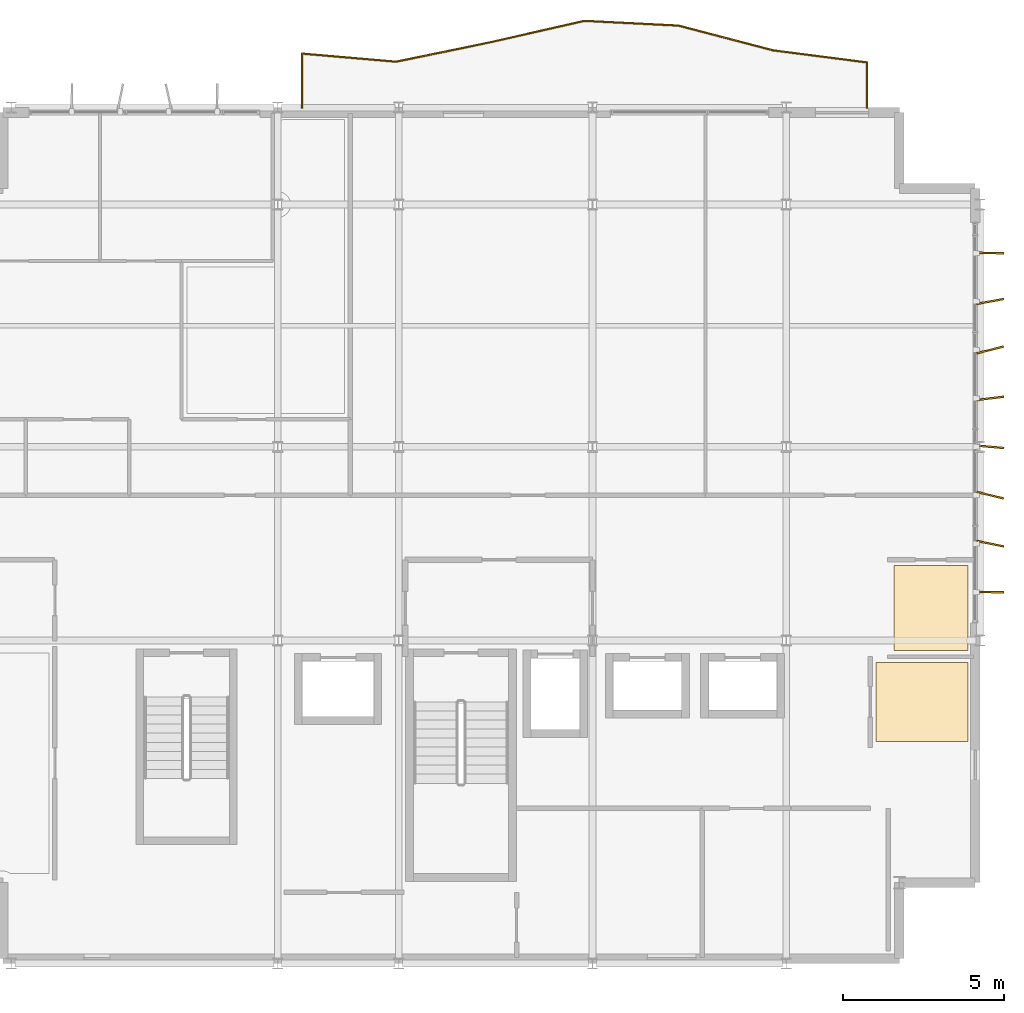
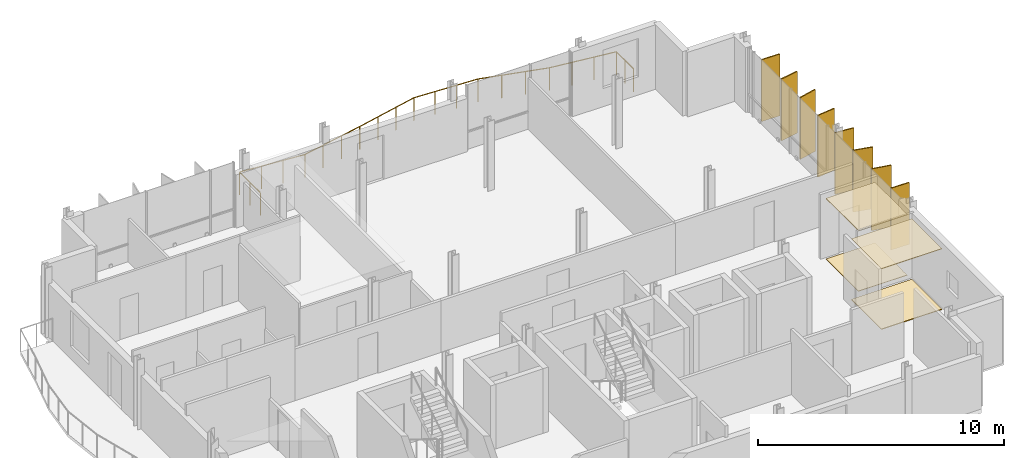
# One storey, part 12 of 12: 8 shading devices, 4 coverings, 1 railing.
"""IFC4 building model written with IfcOpenShell, lengths in metres."""

from ifc_helpers import new_model, si_unit, direction, frame, origin, origin_2d, place, context, subcontext, project, spatial, polyline, rectangle, circle, outline, extrude, material, layer, layer_set, type_object, element, save


model = new_model("IFC4")

# Units and contexts
model_context = context("Model", 3, precision=1e-05, world=origin(), true_north=direction((0.0, 1.0)))
body_context = subcontext(model_context, "Body", "Model", "MODEL_VIEW")
ifc_project = project(units=[si_unit("LENGTHUNIT", "METRE"), si_unit("AREAUNIT", "SQUARE_METRE"), si_unit("VOLUMEUNIT", "CUBIC_METRE"), si_unit("PLANEANGLEUNIT", "RADIAN"), si_unit("MASSUNIT", "GRAM", prefix="KILO")], contexts=[model_context])

# Site, building, storey
site_placement = place(None, origin())
site = spatial("IfcSite", under=ifc_project, at=site_placement, CompositionType="ELEMENT")
building_placement = place(site_placement, origin())
building = spatial("IfcBuilding", under=site, at=building_placement, Name="Brevholm Reach", CompositionType="ELEMENT")
storey_placement = place(building_placement, frame((0.0, 0.0, 236.60009765625)))
storey = spatial("IfcBuildingStorey", under=building, at=storey_placement, Name="L72", CompositionType="ELEMENT", Elevation=236.60009765625)

# Coverings
ifc_material_1 = material(Name="Perforated Mineral-Fibre Class-A Acoustic Suspended Ceiling", Category="gypsum")
ifc_layer_1 = layer(ifc_material_1, 0.044921875)
ifc_layer_set_1 = layer_set([ifc_layer_1], Name="Perforated Mineral-Fibre Class-A Acoustic Suspended Ceiling")
covering_type_1 = type_object("IfcCoveringType", Name="COV-CLG-AC", PredefinedType="CEILING", material=ifc_layer_set_1)
covering_1_placement = place(storey_placement, frame((0.0, 0.0, 2.98486328125)))
element("IfcCovering", 1, at=covering_1_placement, inside=storey, type_object=covering_type_1, Name="L72 Suspended Ceiling L72-20", PredefinedType="CEILING", context=body_context, shape_type="SweptSolid", body=[
    extrude(outline(polyline([(57.330078125, 12.31591796875), (59.6201171875, 12.31591796875), (59.6201171875, 10.123779296875), (59.6171875, 10.1162109375), (59.607666015625, 10.077880859375), (59.601806640625, 10.039306640625), (59.60009765625, 10.0), (59.601806640625, 9.960693359375), (59.607666015625, 9.922119140625), (59.6171875, 9.8837890625), (59.6201171875, 9.876220703125), (59.6201171875, 9.68408203125), (57.330078125, 9.68408203125), (57.330078125, 12.31591796875)])), origin(), (0.0, 0.0, 1.0), 0.044921875),
])
ifc_material_2 = material(Name="Moisture-Resistant Skimmed Gypsum Plasterboard Ceiling", Category="gypsum")
ifc_layer_2 = layer(ifc_material_2, 0.030029296875)
ifc_layer_set_2 = layer_set([ifc_layer_2], Name="Moisture-Resistant Skimmed Gypsum Plasterboard Ceiling")
covering_type_2 = type_object("IfcCoveringType", Name="COV-CLG-GYP", PredefinedType="CEILING", material=ifc_layer_set_2)
covering_2_placement = place(storey_placement, frame((0.0, 0.0, 3.0)))
element("IfcCovering", 2, at=covering_2_placement, inside=storey, type_object=covering_type_2, Name="L72 Suspended Ceiling L72-18", PredefinedType="CEILING", context=body_context, shape_type="SweptSolid", body=[
    extrude(outline(polyline([(59.6201171875, 9.320068359375), (59.6201171875, 6.8798828125), (56.783935546875, 6.8798828125), (56.783935546875, 9.320068359375), (59.6201171875, 9.320068359375)])), origin(), (0.0, 0.0, 1.0), 0.02978515625),
])
ifc_material_3 = material(Name="Engineered European Oak Acoustic Plank Flooring", Category="timber")
ifc_layer_3 = layer(ifc_material_3, 0.02197265625)
ifc_layer_set_3 = layer_set([ifc_layer_3], Name="Engineered European Oak Acoustic Plank Flooring")
covering_type_3 = type_object("IfcCoveringType", Name="COV-FLR-OAK", PredefinedType="FLOORING", material=ifc_layer_set_3)
covering_3_placement = place(storey_placement, origin())
element("IfcCovering", 3, at=covering_3_placement, inside=storey, type_object=covering_type_3, Name="L72 Floor Finish L72-20", PredefinedType="FLOORING", context=body_context, shape_type="SweptSolid", body=[
    extrude(outline(polyline([(57.330078125, 12.31591796875), (59.6201171875, 12.31591796875), (59.6201171875, 10.123779296875), (59.6171875, 10.1162109375), (59.607666015625, 10.077880859375), (59.601806640625, 10.039306640625), (59.60009765625, 10.0), (59.601806640625, 9.960693359375), (59.607666015625, 9.922119140625), (59.6171875, 9.8837890625), (59.6201171875, 9.876220703125), (59.6201171875, 9.68408203125), (57.330078125, 9.68408203125), (57.330078125, 12.31591796875)])), origin(), (0.0, 0.0, 1.0), 0.02197265625),
])
ifc_material_4 = material(Name="Honed Portland-Aggregate Resin Terrazzo Flooring", Category="concrete")
ifc_layer_4 = layer(ifc_material_4, 0.031982421875)
ifc_layer_set_4 = layer_set([ifc_layer_4], Name="Honed Portland-Aggregate Resin Terrazzo Flooring")
covering_type_4 = type_object("IfcCoveringType", Name="COV-FLR-TRZ", PredefinedType="FLOORING", material=ifc_layer_set_4)
covering_4_placement = place(storey_placement, origin())
element("IfcCovering", 4, at=covering_4_placement, inside=storey, type_object=covering_type_4, Name="L72 Floor Finish L72-18", PredefinedType="FLOORING", context=body_context, shape_type="SweptSolid", body=[
    extrude(outline(polyline([(59.6201171875, 9.320068359375), (59.6201171875, 6.8798828125), (56.783935546875, 6.8798828125), (56.783935546875, 9.320068359375), (59.6201171875, 9.320068359375)])), origin(), (0.0, 0.0, 1.0), 0.031982421875),
])

# Railing
ifc_material_5 = material(Name="Brushed Stainless Steel EN 1.4401 and Laminated Glass", Category="steel")
railing_type = type_object("IfcRailingType", Name="RAL-BALC-1150", PredefinedType="BALUSTRADE", material=ifc_material_5)
railing_placement = place(storey_placement, frame((56.5, 26.5, 0.0)))
element("IfcRailing", 5, at=railing_placement, inside=storey, type_object=railing_type, Name="L72 Guard Balustrade RAL-L72-BAL-NE", PredefinedType="BALUSTRADE", context=body_context, shape_type="SweptSolid", body=[
    extrude(circle(Radius=0.02392578125, at=origin_2d()), frame((0.0, 0.0, 1.1259765625), z_axis=(0.0, 1.0, 0.0), x_axis=(-1.0, 0.0, 0.0)), (0.0, 0.0, 1.0), 1.40380859375),
    extrude(circle(Radius=0.02392578125, at=origin_2d()), frame((0.0, 1.40380859375, 1.1259765625), z_axis=(-0.991825721968, 0.127599910828, 0.0), x_axis=(-0.127599910828, -0.991825721968, 0.0)), (0.0, 0.0, 1.0), 2.940673828125),
    extrude(circle(Radius=0.02392578125, at=origin_2d()), frame((-2.916748046875, 1.779052734375, 1.1259765625), z_axis=(-0.967287116441, 0.253684123205, 0.0), x_axis=(-0.253684123205, -0.967287116441, 0.0)), (0.0, 0.0, 1.0), 3.01513671875),
    extrude(circle(Radius=0.02392578125, at=origin_2d()), frame((-5.833251953125, 2.5439453125, 1.1259765625), z_axis=(-0.998720239463, 0.050575520622, 0.0), x_axis=(-0.050575520622, -0.998720239463, 0.0)), (0.0, 0.0, 1.0), 2.92041015625),
    extrude(circle(Radius=0.02392578125, at=origin_2d()), frame((-8.75, 2.691650390625, 1.1259765625), z_axis=(-0.975066268344, -0.221913884961, 0.0), x_axis=(0.221913884961, -0.975066268344, 0.0)), (0.0, 0.0, 1.0), 2.991455078125),
    extrude(circle(Radius=0.02392578125, at=origin_2d()), frame((-11.666748046875, 2.02783203125, 1.1259765625), z_axis=(-0.979367411888, -0.202087784221, 0.0), x_axis=(0.202087784221, -0.979367411888, 0.0)), (0.0, 0.0, 1.0), 2.97802734375),
    extrude(circle(Radius=0.02392578125, at=origin_2d()), frame((-14.583251953125, 1.426025390625, 1.1259765625), z_axis=(-0.996282713287, 0.086143805376, 0.0), x_axis=(-0.086143805376, -0.996282713287, 0.0)), (0.0, 0.0, 1.0), 2.927734375),
    extrude(circle(Radius=0.02392578125, at=origin_2d()), frame((-17.5, 1.67822265625, 1.1259765625), z_axis=(0.0, -1.0, 0.0), x_axis=(1.0, 0.0, 0.0)), (0.0, 0.0, 1.0), 1.67822265625),
    extrude(circle(Radius=0.02099609375, at=origin_2d()), origin(), (0.0, 0.0, 1.0), 1.101806640625),
    extrude(circle(Radius=0.02099609375, at=origin_2d()), frame((0.0, 0.701904296875, 0.0)), (0.0, 0.0, 1.0), 1.101806640625),
    extrude(circle(Radius=0.02099609375, at=origin_2d()), frame((0.0, 1.40380859375, 0.0)), (0.0, 0.0, 1.0), 1.101806640625),
    extrude(circle(Radius=0.02099609375, at=origin_2d()), frame((-0.97216796875, 1.52880859375, 0.0)), (0.0, 0.0, 1.0), 1.101806640625),
    extrude(circle(Radius=0.02099609375, at=origin_2d()), frame((-1.944580078125, 1.654052734375, 0.0)), (0.0, 0.0, 1.0), 1.101806640625),
    extrude(circle(Radius=0.02099609375, at=origin_2d()), frame((-2.916748046875, 1.779052734375, 0.0)), (0.0, 0.0, 1.0), 1.101806640625),
    extrude(circle(Radius=0.02099609375, at=origin_2d()), frame((-3.888916015625, 2.033935546875, 0.0)), (0.0, 0.0, 1.0), 1.101806640625),
    extrude(circle(Radius=0.02099609375, at=origin_2d()), frame((-4.861083984375, 2.2890625, 0.0)), (0.0, 0.0, 1.0), 1.101806640625),
    extrude(circle(Radius=0.02099609375, at=origin_2d()), frame((-5.833251953125, 2.5439453125, 0.0)), (0.0, 0.0, 1.0), 1.101806640625),
    extrude(circle(Radius=0.02099609375, at=origin_2d()), frame((-6.805419921875, 2.59326171875, 0.0)), (0.0, 0.0, 1.0), 1.101806640625),
    extrude(circle(Radius=0.02099609375, at=origin_2d()), frame((-7.77783203125, 2.642333984375, 0.0)), (0.0, 0.0, 1.0), 1.101806640625),
    extrude(circle(Radius=0.02099609375, at=origin_2d()), frame((-8.75, 2.691650390625, 0.0)), (0.0, 0.0, 1.0), 1.101806640625),
    extrude(circle(Radius=0.02099609375, at=origin_2d()), frame((-9.72216796875, 2.470458984375, 0.0)), (0.0, 0.0, 1.0), 1.101806640625),
    extrude(circle(Radius=0.02099609375, at=origin_2d()), frame((-10.694580078125, 2.2490234375, 0.0)), (0.0, 0.0, 1.0), 1.101806640625),
    extrude(circle(Radius=0.02099609375, at=origin_2d()), frame((-11.666748046875, 2.02783203125, 0.0)), (0.0, 0.0, 1.0), 1.101806640625),
    extrude(circle(Radius=0.02099609375, at=origin_2d()), frame((-12.638916015625, 1.8271484375, 0.0)), (0.0, 0.0, 1.0), 1.101806640625),
    extrude(circle(Radius=0.02099609375, at=origin_2d()), frame((-13.611083984375, 1.626708984375, 0.0)), (0.0, 0.0, 1.0), 1.101806640625),
    extrude(circle(Radius=0.02099609375, at=origin_2d()), frame((-14.583251953125, 1.426025390625, 0.0)), (0.0, 0.0, 1.0), 1.101806640625),
    extrude(circle(Radius=0.02099609375, at=origin_2d()), frame((-15.555419921875, 1.510009765625, 0.0)), (0.0, 0.0, 1.0), 1.101806640625),
    extrude(circle(Radius=0.02099609375, at=origin_2d()), frame((-16.52783203125, 1.59423828125, 0.0)), (0.0, 0.0, 1.0), 1.101806640625),
    extrude(circle(Radius=0.02099609375, at=origin_2d()), frame((-17.5, 1.67822265625, 0.0)), (0.0, 0.0, 1.0), 1.101806640625),
    extrude(circle(Radius=0.02099609375, at=origin_2d()), frame((-17.5, 0.839111328125, 0.0)), (0.0, 0.0, 1.0), 1.101806640625),
    extrude(circle(Radius=0.02099609375, at=origin_2d()), frame((-17.5, 0.0, 0.0)), (0.0, 0.0, 1.0), 1.101806640625),
])

# Shading devices
ifc_material_6 = material(Name="Perforated Champagne-Bronze Anodised Aluminium", Category="aluminium")
ifc_layer_5 = layer(ifc_material_6, 0.054931640625)
ifc_layer_set_5 = layer_set([ifc_layer_5], Name="Perforated Champagne-Bronze Anodised Aluminium")
shading_device_type = type_object("IfcShadingDeviceType", Name="SHD-FIN-850", PredefinedType="USERDEFINED", material=ifc_layer_set_5)
for number, where, z_axis, x_axis, name in (
    (6, (60.31494140625, 11.5, 0.06982421875), (0.0, 0.0, 1.0), (0.999865136563, -0.016422809943, 0.0), "L72 Perforated Solar Screen Fin 1"),
    (7, (60.31494140625, 13.0, 0.06982421875), (0.0, 0.0, 1.0), (0.979896858054, -0.199504755774, 0.0), "L72 Perforated Solar Screen Fin 2"),
    (8, (60.31494140625, 14.5, 0.06982421875), (0.0, 0.0, 1.0), (0.972739463333, -0.231900703912, 0.0), "L72 Perforated Solar Screen Fin 3"),
    (9, (60.31494140625, 16.0, 0.06982421875), (0.0, 0.0, 1.0), (0.995863809102, -0.090858536865, 0.0), "L72 Perforated Solar Screen Fin 4"),
    (10, (60.31494140625, 17.5, 0.06982421875), (0.0, 0.0, 1.0), (0.992740557985, 0.120275452737, 0.0), "L72 Perforated Solar Screen Fin 5"),
    (11, (60.31494140625, 19.0, 0.06982421875), (0.0, 0.0, 1.0), (0.971017594513, 0.239008014815, 0.0), "L72 Perforated Solar Screen Fin 6"),
    (12, (60.31494140625, 20.5, 0.06982421875), (0.0, 0.0, 1.0), (0.983778761338, 0.179386032735, 0.0), "L72 Perforated Solar Screen Fin 7"),
    (13, (60.31494140625, 22.0, 0.06982421875), (0.0, 0.0, 1.0), (0.999865136563, -0.016422809943, 0.0), "L72 Perforated Solar Screen Fin 8"),
):
    element("IfcShadingDevice", number, at=place(storey_placement, frame(where, z_axis=z_axis, x_axis=x_axis)), inside=storey, type_object=shading_device_type, Name=name, ObjectType="SCREEN", PredefinedType="USERDEFINED", context=body_context, shape_type="SweptSolid", body=[
        extrude(rectangle(XDim=0.85009765625, YDim=0.054931640625, at=origin_2d()), origin(), (0.0, 0.0, 1.0), 3.06005859375),
    ])

save(model, "model.ifc")
